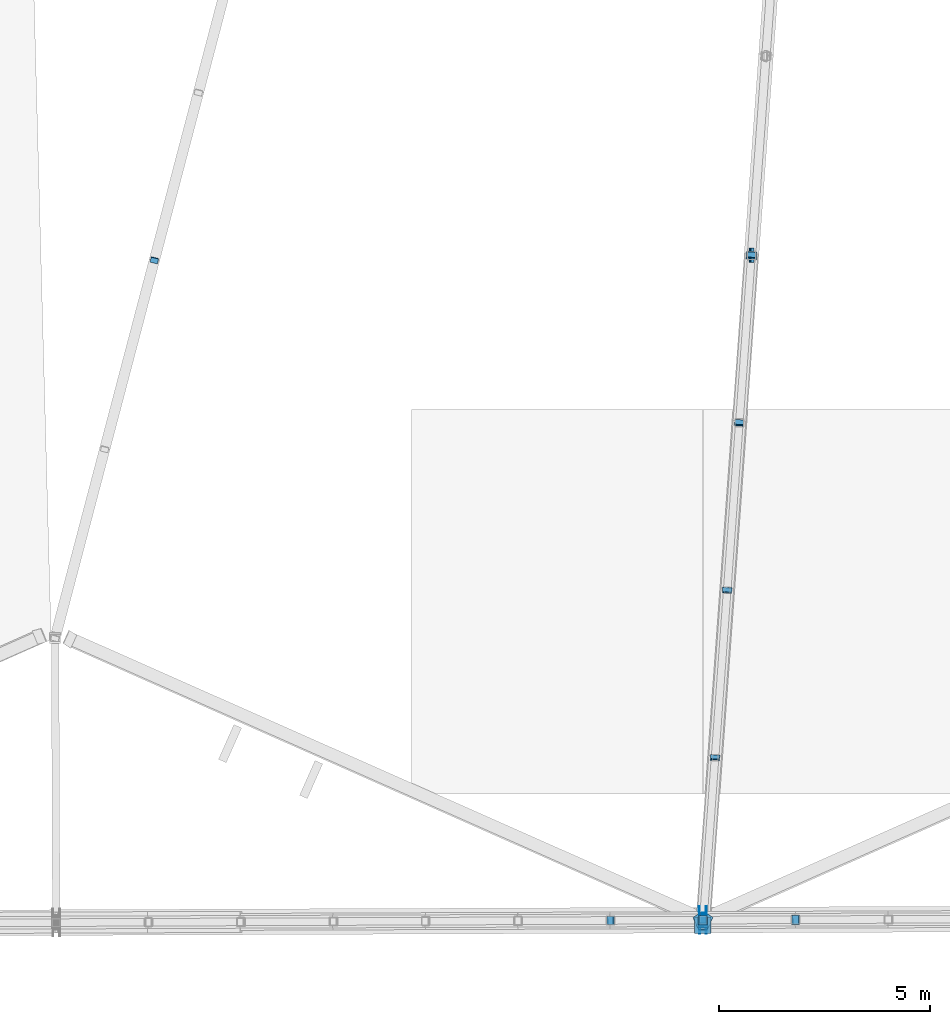
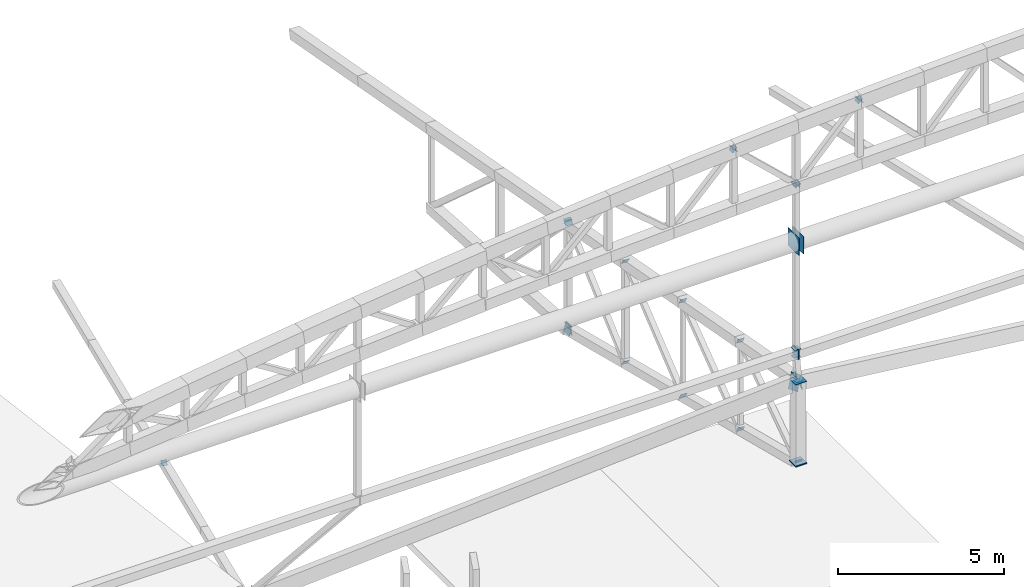
# One storey, part 128 of 188: 31 discrete accessories.
"""IFC4 building model written with IfcOpenShell, lengths in metres."""

from ifc_helpers import new_model, si_unit, direction, frame, origin, origin_2d, place, context, subcontext, project, spatial, rectangle, extrude, material, material_profile, profile_set, type_object, element, save


model = new_model("IFC4")

# Units and contexts
model_context = context("Model", 3, precision=1e-05, world=origin(), true_north=direction((0.0, 1.0)))
body_context = subcontext(model_context, "Body", "Model", "MODEL_VIEW")
ifc_project = project(units=[si_unit("LENGTHUNIT", "METRE"), si_unit("AREAUNIT", "SQUARE_METRE"), si_unit("VOLUMEUNIT", "CUBIC_METRE"), si_unit("PLANEANGLEUNIT", "RADIAN"), si_unit("MASSUNIT", "GRAM", prefix="KILO")], contexts=[model_context])

# Site, building, storey
site_placement = place(None, origin())
site = spatial("IfcSite", under=ifc_project, at=site_placement, CompositionType="ELEMENT")
building_placement = place(site_placement, origin())
building = spatial("IfcBuilding", under=site, at=building_placement, Name="Meseta Stadium", CompositionType="ELEMENT")
storey_placement = place(building_placement, frame((0.0, 0.0, 30.0)))
storey = spatial("IfcBuildingStorey", under=building, at=storey_placement, Name="ROOF", CompositionType="ELEMENT", Elevation=30.0)

# Discrete accessories
ifc_material_1 = material(Name="Steel S355", Category="steel")
ifc_material_profile_1 = material_profile(ifc_material_1, rectangle(XDim=0.179931640625, YDim=0.179931640625, at=origin_2d()), Name="PL 180x180")
ifc_profile_set_1 = profile_set([ifc_material_profile_1], Name="Steel S355")
discrete_accessory_type_1 = type_object("IfcDiscreteAccessoryType", Name="End plate 180x180x20", PredefinedType="ANCHORPLATE", material=ifc_profile_set_1)
discrete_accessory_1_placement = place(storey_placement, frame((-20.649658203125, -89.65625, 2.44775390625), z_axis=(-0.184441720091, -0.713174651018, 0.676286307), x_axis=(0.968146911612, -0.250382821969, 0.0)))
element("IfcDiscreteAccessory", 1, at=discrete_accessory_1_placement, inside=storey, type_object=discrete_accessory_type_1, Name="End plate of ROOF TRUSS RT-45 diagonal", PredefinedType="ANCHORPLATE", context=body_context, shape_type="SweptSolid", body=[
    extrude(rectangle(XDim=0.179931640625, YDim=0.179931640625, at=origin_2d()), origin(), (0.0, 0.0, 1.0), 0.019775390625),
])
ifc_material_2 = material(Name="Steel S355", Category="steel")
ifc_material_profile_2 = material_profile(ifc_material_2, rectangle(XDim=0.219970703125, YDim=0.219970703125, at=origin_2d()), Name="PL 220x220")
ifc_profile_set_2 = profile_set([ifc_material_profile_2], Name="Steel S355")
discrete_accessory_type_2 = type_object("IfcDiscreteAccessoryType", Name="End plate 220x220x20", PredefinedType="ANCHORPLATE", material=ifc_profile_set_2)
for number, where, z_axis, x_axis, name in (
    (2, (-6.515869140625, -89.52978515625, 6.325927734375), (-0.060790554368, -0.826751539405, -0.559273100186), (0.99730762529, -0.073331443036, 0.0), "End plate of ROOF TRUSS RT-46 diagonal"),
    (3, (-6.804443359375, -93.509765625, 3.654052734375), (-0.061203590847, -0.832368835513, -0.550832317619), (0.99730762529, -0.073331443036, 0.0), "End plate of ROOF TRUSS RT-46 diagonal"),
    (4, (-6.80322265625, -93.49267578125, 7.367919921875), (-0.061134928182, -0.855888994553, -0.513533396732), (0.997458699831, -0.071247049988, 0.0), "End plate of ROOF TRUSS RT-46 diagonal"),
    (5, (-7.091796875, -97.47314453125, 4.931396484375), (-0.061134928182, -0.855888994553, -0.513533396732), (0.997458699831, -0.071247049988, 0.0), "End plate of ROOF TRUSS RT-46 diagonal"),
):
    element("IfcDiscreteAccessory", number, at=place(storey_placement, frame(where, z_axis=z_axis, x_axis=x_axis)), inside=storey, type_object=discrete_accessory_type_2, Name=name, PredefinedType="ANCHORPLATE", context=body_context, shape_type="SweptSolid", body=[
        extrude(rectangle(XDim=0.219970703125, YDim=0.219970703125, at=origin_2d()), origin(), (0.0, 0.0, 1.0), 0.02001953125),
    ])
discrete_accessory_2_placement = place(storey_placement, frame((-7.090576171875, -97.455810546875, 8.409912109375), z_axis=(-0.061606448413, -0.87481156747, -0.480530297624), x_axis=(0.997529518435, -0.070248557636, 0.0)))
element("IfcDiscreteAccessory", 6, at=discrete_accessory_2_placement, inside=storey, type_object=discrete_accessory_type_2, Name="End plate of ROOF TRUSS RT-46 diagonal", PredefinedType="ANCHORPLATE", context=body_context, shape_type="SweptSolid", body=[
    extrude(rectangle(XDim=0.219970703125, YDim=0.219970703125, at=origin_2d()), origin(), (0.0, 0.0, 1.0), 0.019775390625),
])
discrete_accessory_3_placement = place(storey_placement, frame((-7.379150390625, -101.4365234375, 6.208740234375), z_axis=(-0.072653921954, -0.871847063454, -0.484359479696), x_axis=(0.996545758245, -0.083045479854, 0.0)))
element("IfcDiscreteAccessory", 7, at=discrete_accessory_3_placement, inside=storey, type_object=discrete_accessory_type_2, Name="End plate of ROOF TRUSS RT-46 diagonal", PredefinedType="ANCHORPLATE", context=body_context, shape_type="SweptSolid", body=[
    extrude(rectangle(XDim=0.219970703125, YDim=0.219970703125, at=origin_2d()), origin(), (0.0, 0.0, 1.0), 0.020263671875),
])
discrete_accessory_4_placement = place(storey_placement, frame((-7.3779296875, -101.418701171875, 9.451904296875), z_axis=(-0.061313933948, -0.895183435648, -0.441460324429), x_axis=(0.997662565173, -0.068333052409, 0.0)))
element("IfcDiscreteAccessory", 8, at=discrete_accessory_4_placement, inside=storey, type_object=discrete_accessory_type_2, Name="End plate of ROOF TRUSS RT-46 diagonal", PredefinedType="ANCHORPLATE", context=body_context, shape_type="SweptSolid", body=[
    extrude(rectangle(XDim=0.219970703125, YDim=0.219970703125, at=origin_2d()), origin(), (0.0, 0.0, 1.0), 0.02001953125),
])
discrete_accessory_5_placement = place(storey_placement, frame((-7.666748046875, -105.39990234375, 7.486083984375), z_axis=(-0.060324208981, -0.892798292924, -0.446399146462), x_axis=(0.997725098286, -0.067413857992, 0.0)))
element("IfcDiscreteAccessory", 9, at=discrete_accessory_5_placement, inside=storey, type_object=discrete_accessory_type_2, Name="End plate of ROOF TRUSS RT-46 diagonal", PredefinedType="ANCHORPLATE", context=body_context, shape_type="SweptSolid", body=[
    extrude(rectangle(XDim=0.219970703125, YDim=0.219970703125, at=origin_2d()), origin(), (0.0, 0.0, 1.0), 0.020263671875),
])
discrete_accessory_6_placement = place(storey_placement, frame((-9.853759765625, -105.29052734375, 19.716064453125), z_axis=(0.700878536345, 0.012296114673, 0.713174651018), x_axis=(-0.017541160386, 0.99984614201, 0.0)))
element("IfcDiscreteAccessory", 10, at=discrete_accessory_6_placement, inside=storey, type_object=discrete_accessory_type_2, Name="End plate of GABLE ARCH GA-S diagonal", PredefinedType="ANCHORPLATE", context=body_context, shape_type="SweptSolid", body=[
    extrude(rectangle(XDim=0.219970703125, YDim=0.219970703125, at=origin_2d()), origin(), (0.0, 0.0, 1.0), 0.019775390625),
])
for number, where, z_axis, x_axis, name in (
    (11, (-9.868408203125, -105.29052734375, 19.729736328125), (0.731055268243, 0.0, -0.68231825036), (0.0, 1.0, 0.0), "End plate of GABLE ARCH GA-S diagonal"),
    (12, (-7.667236328125, -105.281982421875, 17.657470703125), (0.731055268243, 0.0, -0.68231825036), (0.0, 1.0, 0.0), "End plate of GABLE ARCH GA-S diagonal"),
    (13, (-7.680908203125, -105.281982421875, 17.642822265625), (0.68231825036, 0.0, 0.731055268243), (0.0, 1.0, 0.0), "End plate of GABLE ARCH GA-S diagonal"),
    (14, (-5.472900390625, -105.273681640625, 19.97998046875), (0.68226760886, 0.012183350158, 0.731001009493), (-0.017854296417, 0.999840599345, 0.0), "End plate of GABLE ARCH GA-S diagonal"),
    (15, (-5.487060546875, -105.273681640625, 19.994140625), (0.707106781187, 0.0, -0.707106781187), (0.0, 1.0, 0.0), "End plate of GABLE ARCH GA-S diagonal"),
    (16, (-7.667236328125, -105.281982421875, 17.677490234375), (0.0, 0.0, -1.0), (1.0, 0.0, 0.0), "End plate of GABLE ARCH GA-S hanger RT-46"),
    (17, (-7.667236328125, -105.281982421875, 11.60009765625), (0.0, 0.0, -1.0), (1.0, 0.0, 0.0), "End plate of GABLE ARCH GA-S hanger RT-46"),
    (18, (-7.667236328125, -105.279052734375, 11.31982421875), (0.0, -0.146548661089, -0.989203462354), (1.0, 0.0, 0.0), "End plate of GABLE ARCH GA-S hanger RT-46"),
    (19, (-7.666748046875, -105.39990234375, 10.486083984375), (0.0, -0.146548661089, -0.989203462354), (1.0, 0.0, 0.0), "End plate of GABLE ARCH GA-S hanger RT-46"),
):
    element("IfcDiscreteAccessory", number, at=place(storey_placement, frame(where, z_axis=z_axis, x_axis=x_axis)), inside=storey, type_object=discrete_accessory_type_2, Name=name, PredefinedType="ANCHORPLATE", context=body_context, shape_type="SweptSolid", body=[
        extrude(rectangle(XDim=0.219970703125, YDim=0.219970703125, at=origin_2d()), origin(), (0.0, 0.0, 1.0), 0.02001953125),
    ])
ifc_material_3 = material(Name="Steel S355", Category="steel")
ifc_material_profile_3 = material_profile(ifc_material_3, rectangle(XDim=0.239990234375, YDim=0.239990234375, at=origin_2d()), Name="PL 240x240")
ifc_profile_set_3 = profile_set([ifc_material_profile_3], Name="Steel S355")
discrete_accessory_type_3 = type_object("IfcDiscreteAccessoryType", Name="End plate 240x240x20", PredefinedType="ANCHORPLATE", material=ifc_profile_set_3)
discrete_accessory_7_placement = place(storey_placement, frame((-6.51708984375, -89.54638671875, 6.314697265625), z_axis=(-0.048708102414, -0.706267485008, 0.706267485008), x_axis=(0.997630328423, -0.068802091615, 0.0)))
element("IfcDiscreteAccessory", 20, at=discrete_accessory_7_placement, inside=storey, type_object=discrete_accessory_type_3, Name="End plate of ROOF TRUSS RT-46 diagonal", PredefinedType="ANCHORPLATE", context=body_context, shape_type="SweptSolid", body=[
    extrude(rectangle(XDim=0.239990234375, YDim=0.239990234375, at=origin_2d()), origin(), (0.0, 0.0, 1.0), 0.02001953125),
])
ifc_material_4 = material(Name="Steel S355", Category="steel")
ifc_material_profile_4 = material_profile(ifc_material_4, rectangle(XDim=0.340087890625, YDim=0.340087890625, at=origin_2d()), Name="PL 340x340")
ifc_profile_set_4 = profile_set([ifc_material_profile_4], Name="Steel S355")
discrete_accessory_type_4 = type_object("IfcDiscreteAccessoryType", Name="End plate 340x340x20", PredefinedType="ANCHORPLATE", material=ifc_profile_set_4)
discrete_accessory_8_placement = place(storey_placement, frame((-6.51708984375, -89.54638671875, 2.376953125), z_axis=(0.978158850918, 0.0, 0.20785875582), x_axis=(0.0, 1.0, 0.0)))
element("IfcDiscreteAccessory", 21, at=discrete_accessory_8_placement, inside=storey, type_object=discrete_accessory_type_4, Name="End plate of ROOF PIVOT STRUT RT-45/46", PredefinedType="ANCHORPLATE", context=body_context, shape_type="SweptSolid", body=[
    extrude(rectangle(XDim=0.340087890625, YDim=0.340087890625, at=origin_2d()), origin(), (0.0, 0.0, 1.0), 0.02001953125),
])
discrete_accessory_9_placement = place(storey_placement, frame((-6.536376953125, -89.54638671875, 2.381591796875), z_axis=(0.972275475429, 0.0, -0.233838405483), x_axis=(0.0, 1.0, 0.0)))
element("IfcDiscreteAccessory", 22, at=discrete_accessory_9_placement, inside=storey, type_object=discrete_accessory_type_4, Name="End plate of ROOF PIVOT STRUT RT-46/47", PredefinedType="ANCHORPLATE", context=body_context, shape_type="SweptSolid", body=[
    extrude(rectangle(XDim=0.340087890625, YDim=0.340087890625, at=origin_2d()), origin(), (0.0, 0.0, 1.0), 0.019775390625),
])
discrete_accessory_10_placement = place(storey_placement, frame((-7.667236328125, -105.281982421875, 11.449951171875), z_axis=(1.0, 0.0, 0.0), x_axis=(0.0, 1.0, 0.0)))
element("IfcDiscreteAccessory", 23, at=discrete_accessory_10_placement, inside=storey, type_object=discrete_accessory_type_4, Name="End plate of GABLE ARCH GA-S sill beam 02", PredefinedType="ANCHORPLATE", context=body_context, shape_type="SweptSolid", body=[
    extrude(rectangle(XDim=0.340087890625, YDim=0.340087890625, at=origin_2d()), origin(), (0.0, 0.0, 1.0), 0.02001953125),
])
discrete_accessory_11_placement = place(storey_placement, frame((-7.68701171875, -105.281982421875, 11.449951171875), z_axis=(1.0, 0.0, 0.0), x_axis=(0.0, 1.0, 0.0)))
element("IfcDiscreteAccessory", 24, at=discrete_accessory_11_placement, inside=storey, type_object=discrete_accessory_type_4, Name="End plate of GABLE ARCH GA-S sill beam 03", PredefinedType="ANCHORPLATE", context=body_context, shape_type="SweptSolid", body=[
    extrude(rectangle(XDim=0.340087890625, YDim=0.340087890625, at=origin_2d()), origin(), (0.0, 0.0, 1.0), 0.019775390625),
])
ifc_material_5 = material(Name="Steel S355", Category="steel")
ifc_material_profile_5 = material_profile(ifc_material_5, rectangle(XDim=0.340087890625, YDim=0.5400390625, at=origin_2d()), Name="PL 340x540")
ifc_profile_set_5 = profile_set([ifc_material_profile_5], Name="Steel S355")
discrete_accessory_type_5 = type_object("IfcDiscreteAccessoryType", Name="End plate 340x540x20", PredefinedType="ANCHORPLATE", material=ifc_profile_set_5)
for number, where, z_axis, x_axis, name in (
    (25, (-7.603271484375, -105.306640625, 10.40478515625), (0.844040643991, -0.379206666141, 0.379206666141), (0.433102795641, 0.898997349396, -0.065005647353), "End plate of RIM RING BEAM 46"),
    (26, (-7.74609375, -105.316650390625, 10.411865234375), (0.85131948188, 0.36485120652, -0.377012913404), (-0.418826946159, 0.905399022483, -0.069545663117), "End plate of RIM RING BEAM 47"),
):
    element("IfcDiscreteAccessory", number, at=place(storey_placement, frame(where, z_axis=z_axis, x_axis=x_axis)), inside=storey, type_object=discrete_accessory_type_5, Name=name, PredefinedType="ANCHORPLATE", context=body_context, shape_type="SweptSolid", body=[
        extrude(rectangle(XDim=0.340087890625, YDim=0.5400390625, at=origin_2d()), origin(), (0.0, 0.0, 1.0), 0.02001953125),
    ])
ifc_material_6 = material(Name="Steel S355", Category="steel")
ifc_material_profile_6 = material_profile(ifc_material_6, rectangle(XDim=0.389892578125, YDim=0.389892578125, at=origin_2d()), Name="PL 390x390")
ifc_profile_set_6 = profile_set([ifc_material_profile_6], Name="Steel S355")
discrete_accessory_type_6 = type_object("IfcDiscreteAccessoryType", Name="End plate 390x390x20", PredefinedType="ANCHORPLATE", material=ifc_profile_set_6)
for number, where, z_axis, x_axis, name in (
    (27, (-7.666748046875, -105.39990234375, 7.466064453125), (0.0, 0.0, 1.0), (1.0, 0.0, 0.0), "End plate of ROOF TRUSS RT-46 post"),
    (28, (-7.666748046875, -105.39990234375, 10.486083984375), (0.0, 0.0, 1.0), (1.0, 0.0, 0.0), "End plate of ROOF TRUSS RT-46 post"),
    (29, (-7.666748046875, -105.39990234375, 7.486083984375), (0.0, 0.0, 1.0), (1.0, 0.0, 0.0), "End plate of ROOF RIM POST RT-46"),
):
    element("IfcDiscreteAccessory", number, at=place(storey_placement, frame(where, z_axis=z_axis, x_axis=x_axis)), inside=storey, type_object=discrete_accessory_type_6, Name=name, PredefinedType="ANCHORPLATE", context=body_context, shape_type="SweptSolid", body=[
        extrude(rectangle(XDim=0.389892578125, YDim=0.389892578125, at=origin_2d()), origin(), (0.0, 0.0, 1.0), 0.02001953125),
    ])
ifc_material_7 = material(Name="Steel S355", Category="steel")
ifc_material_profile_7 = material_profile(ifc_material_7, rectangle(XDim=0.64990234375, YDim=0.64990234375, at=origin_2d()), Name="PL 650x650")
ifc_profile_set_7 = profile_set([ifc_material_profile_7], Name="Steel S355")
discrete_accessory_type_7 = type_object("IfcDiscreteAccessoryType", Name="End plate 650x650x20", PredefinedType="ANCHORPLATE", material=ifc_profile_set_7)
for number, where, z_axis, x_axis, name in (
    (30, (-7.757080078125, -105.282470703125, 15.550048828125), (0.999925647793, 0.012194215217, 0.0), (-0.012194215217, 0.999925647793, 0.0), "End plate of GABLE ARCH GA-S tie 02"),
    (31, (-7.59716796875, -105.28173828125, 15.550048828125), (1.0, 0.0, 0.0), (0.0, 1.0, 0.0), "End plate of GABLE ARCH GA-S tie 03"),
):
    element("IfcDiscreteAccessory", number, at=place(storey_placement, frame(where, z_axis=z_axis, x_axis=x_axis)), inside=storey, type_object=discrete_accessory_type_7, Name=name, PredefinedType="ANCHORPLATE", context=body_context, shape_type="SweptSolid", body=[
        extrude(rectangle(XDim=0.64990234375, YDim=0.64990234375, at=origin_2d()), origin(), (0.0, 0.0, 1.0), 0.02001953125),
    ])

save(model, "model.ifc")
